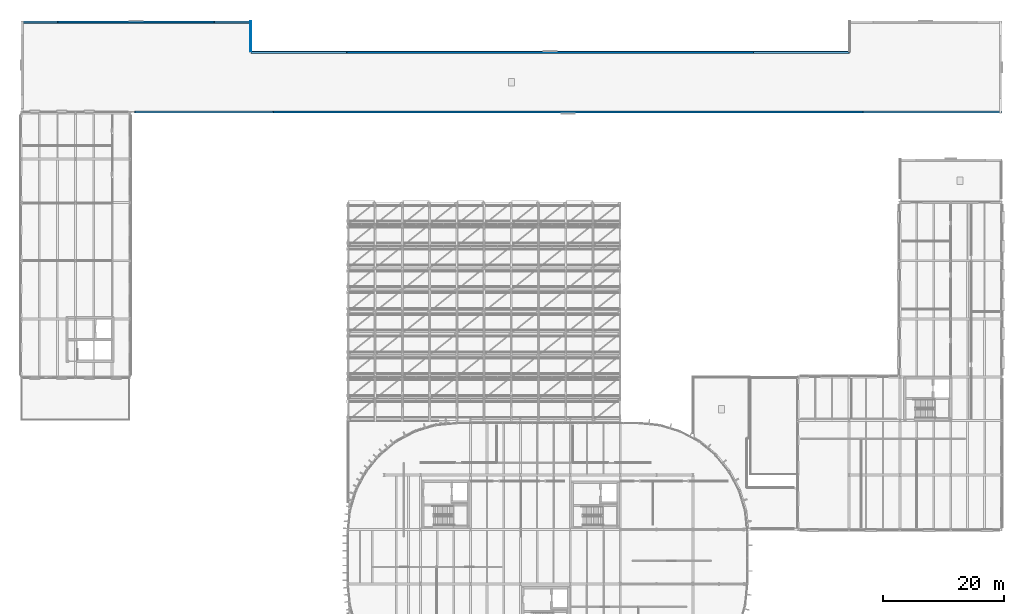
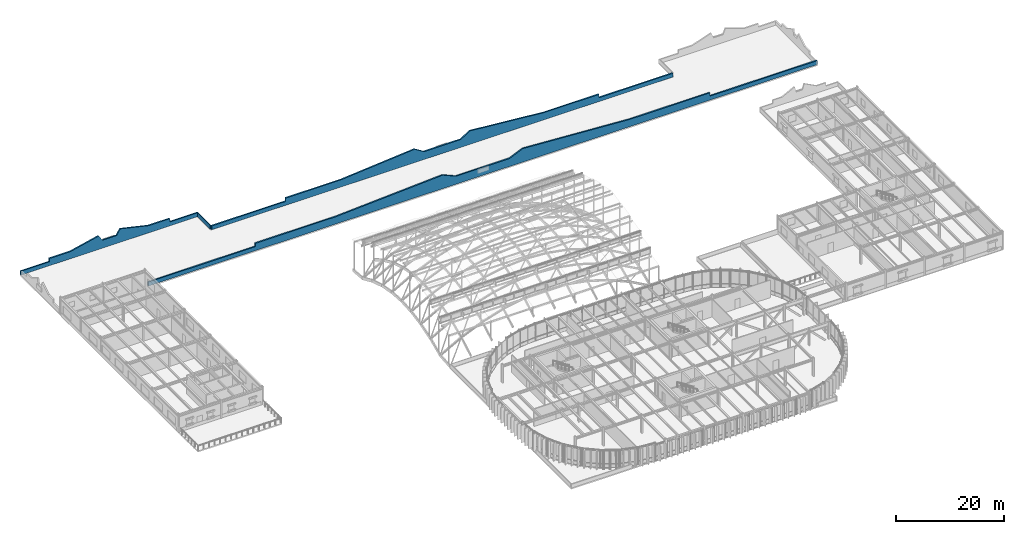
# One storey, part 56 of 69: 4 walls.
"""IFC4 building model written with IfcOpenShell, lengths in metres."""

from ifc_helpers import new_model, si_unit, direction, frame, frame_2d, origin, place, context, subcontext, project, spatial, polyline, rectangle, outline, extrude, material, layer, layer_set, type_object, element, save


model = new_model("IFC4")

# Units and contexts
model_context = context("Model", 3, precision=1e-05, world=origin(), true_north=direction((0.0, 1.0)))
body_context = subcontext(model_context, "Body", "Model", "MODEL_VIEW")
ifc_project = project(units=[si_unit("LENGTHUNIT", "METRE"), si_unit("AREAUNIT", "SQUARE_METRE"), si_unit("VOLUMEUNIT", "CUBIC_METRE"), si_unit("PLANEANGLEUNIT", "RADIAN"), si_unit("MASSUNIT", "GRAM", prefix="KILO")], contexts=[model_context])

# Site, building, storey
site_placement = place(None, origin())
site = spatial("IfcSite", under=ifc_project, at=site_placement, CompositionType="ELEMENT")
building_placement = place(site_placement, origin())
building = spatial("IfcBuilding", under=site, at=building_placement, Name="Montealbar Specialist Clinic", CompositionType="ELEMENT")
storey_placement = place(building_placement, frame((0.0, 0.0, 9.60009765625)))
storey = spatial("IfcBuildingStorey", under=building, at=storey_placement, Name="L02", CompositionType="ELEMENT", Elevation=9.60009765625)

# Walls
ifc_material_1 = material(Name="Guadarrama granite ashlar", Category="masonry")
ifc_layer_1 = layer(ifc_material_1, 0.159912109375, Name="Guadarrama granite ashlar", Category="masonry")
ifc_layer_set_1 = layer_set([ifc_layer_1], Name="Guadarrama granite ashlar")
wall_type_1 = type_object("IfcWallType", Name="WL-PARAPET-160", PredefinedType="PARAPET", material=ifc_layer_set_1)
wall_1_placement = place(storey_placement, frame((37.919921875, 111.0, 0.0), z_axis=(0.0, 0.0, 1.0), x_axis=(0.0, -1.0, 0.0)))
element("IfcWall", 1, at=wall_1_placement, inside=storey, type_object=wall_type_1, Name="Roof Parapet L02-011", PredefinedType="PARAPET", context=body_context, shape_type="SweptSolid", body=[
    extrude(rectangle(XDim=5.0, YDim=0.159912109375, at=frame_2d((2.5, 0.0))), origin(), (0.0, 0.0, 1.0), 0.849853515625),
])
ifc_material_2 = material(Name="Terracotta architectural cladding", Category="masonry")
ifc_layer_2 = layer(ifc_material_2, 0.300048828125, Name="Terracotta architectural cladding", Category="masonry")
ifc_layer_set_2 = layer_set([ifc_layer_2], Name="Terracotta architectural cladding")
wall_type_2 = type_object("IfcWallType", Name="WL-PEDIMENT-300", PredefinedType="PARAPET", material=ifc_layer_set_2)
wall_2_placement = place(storey_placement, frame((38.0, 105.830078125, 0.0), z_axis=(0.0, 0.0, 1.0), x_axis=(1.0, 0.0, 0.0)))
element("IfcWall", 2, at=wall_2_placement, inside=storey, type_object=wall_type_2, Name="Postmodern Broken-Pediment Gable Parapet L02-01", PredefinedType="PARAPET", context=body_context, shape_type="SweptSolid", body=[
    extrude(outline(polyline([(0.0, 0.0), (98.800048828125, 0.0), (98.800048828125, 0.89990234375), (82.991943359375, 0.89990234375), (82.971923828125, 1.64990234375), (71.135986328125, 1.64990234375), (55.327880859375, 3.0498046875), (53.35205078125, 1.7998046875), (45.447998046875, 1.7998046875), (43.471923828125, 3.0498046875), (27.6640625, 1.64990234375), (15.827880859375, 1.64990234375), (15.80810546875, 0.89990234375), (0.0, 0.89990234375), (0.0, 0.0)])), frame((0.0, 0.14990234375, 0.0), z_axis=(0.0, -1.0, 0.0), x_axis=(1.0, 0.0, 0.0)), (0.0, 0.0, 1.0), 0.300048828125),
])
wall_3_placement = place(storey_placement, frame((162.0, 95.969970703125, 0.0), z_axis=(0.0, 0.0, 1.0), x_axis=(-1.0, 0.0, 0.0)))
element("IfcWall", 3, at=wall_3_placement, inside=storey, type_object=wall_type_2, Name="Postmodern Broken-Pediment Gable Parapet L02-04", PredefinedType="PARAPET", context=body_context, shape_type="SweptSolid", body=[
    extrude(outline(polyline([(0.0, 0.0), (143.25, 0.0), (143.25, 0.89990234375), (120.330078125, 0.89990234375), (120.31005859375, 1.64990234375), (103.139892578125, 1.64990234375), (80.219970703125, 3.0498046875), (77.35498046875, 1.7998046875), (65.89501953125, 1.7998046875), (63.030029296875, 3.0498046875), (40.110107421875, 1.64990234375), (22.93994140625, 1.64990234375), (22.919921875, 0.89990234375), (0.0, 0.89990234375), (0.0, 0.0)])), frame((0.0, 0.14990234375, 0.0), z_axis=(0.0, -1.0, 0.0), x_axis=(1.0, 0.0, 0.0)), (0.0, 0.0, 1.0), 0.300048828125),
])
wall_4_placement = place(storey_placement, frame((0.0, 110.830078125, 0.0), z_axis=(0.0, 0.0, 1.0), x_axis=(1.0, 0.0, 0.0)))
element("IfcWall", 4, at=wall_4_placement, inside=storey, type_object=wall_type_2, Name="Postmodern Broken-Pediment Gable Parapet L02-06", PredefinedType="PARAPET", context=body_context, shape_type="SweptSolid", body=[
    extrude(outline(polyline([(0.0, 0.0), (38.0, 0.0), (38.0, 0.89990234375), (31.919921875, 0.89990234375), (31.89990234375, 1.64990234375), (27.360107421875, 1.64990234375), (21.280029296875, 3.0498046875), (20.52001953125, 1.7998046875), (17.47998046875, 1.7998046875), (16.719970703125, 3.0498046875), (10.639892578125, 1.64990234375), (6.10009765625, 1.64990234375), (6.080078125, 0.89990234375), (0.0, 0.89990234375), (0.0, 0.0)])), frame((0.0, 0.14990234375, 0.0), z_axis=(0.0, -1.0, 0.0), x_axis=(1.0, 0.0, 0.0)), (0.0, 0.0, 1.0), 0.300048828125),
])

save(model, "model.ifc")
